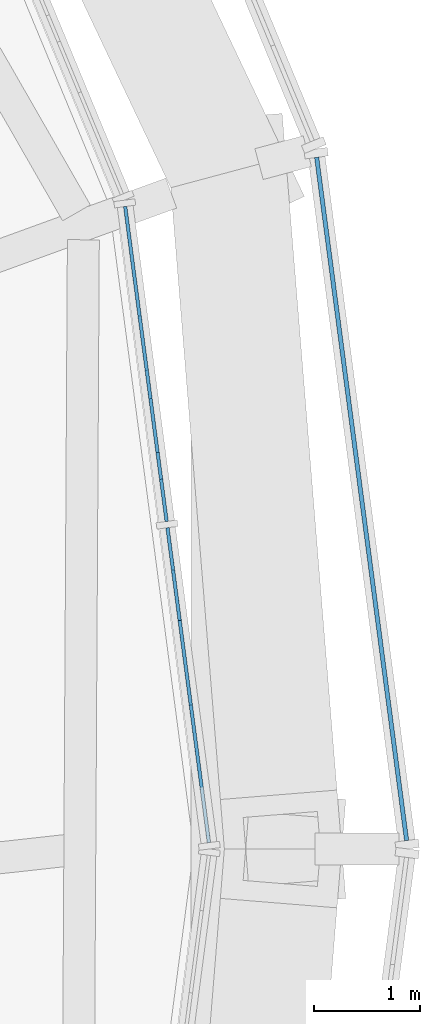
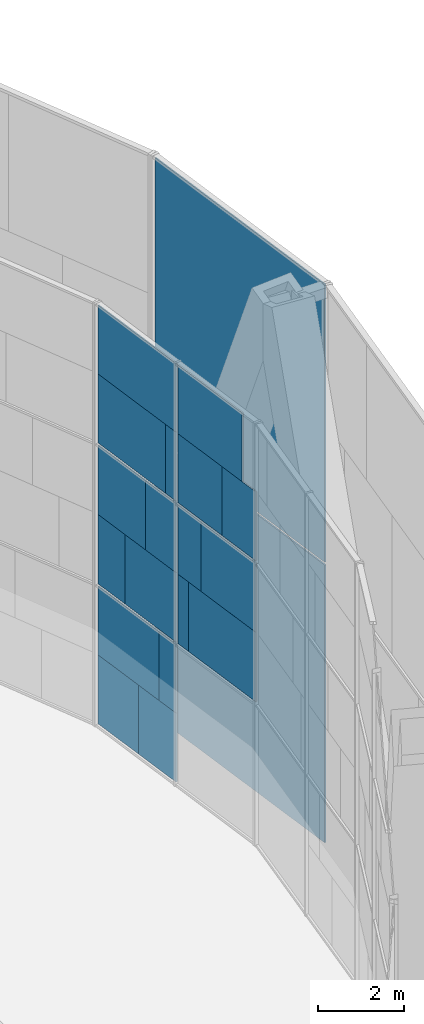
# One storey, part 18 of 26: 20 plates, 2 elements without a shape of their own.
"""IFC4 building model written with IfcOpenShell, lengths in metres."""

import ifcopenshell
import ifcopenshell.guid

model = None  # the IFC model being written
_history = None  # IfcOwnerHistory: only IFC2X3 demands one
_inside = {}  # id of a spatial element -> (the spatial element, [elements in it])
_under = {}  # id of a project, library or spatial element -> (it, [spatial elements below it])
_declared = {}  # id of a project -> (the project, [libraries it declares])
_typed = {}  # id of a type object -> (the type object, [elements of that type])
_made_of = {}  # id of a material, layer set ... -> (it, [elements and type objects made of it])


def new_model(schema):
    """Start an empty IFC model of exactly this schema.

    Asked for "IFC4X3", IfcOpenShell would pick the latest addendum, in which some entities
    have other attributes; the version numbers below select the first issue.
    IFC2X3 requires an IfcOwnerHistory on every rooted entity: one is made here for all.
    """
    global model, _history
    if schema == "IFC4X3":
        model = ifcopenshell.file(schema_version=(4, 3, 0, 0))
    else:
        model = ifcopenshell.file(schema=schema)
    _inside.clear()
    _under.clear()
    _declared.clear()
    _typed.clear()
    _made_of.clear()
    _history = None
    if model.schema == "IFC2X3":
        org = make("IfcOrganization", Name="unknown")
        user = make(
            "IfcPersonAndOrganization",
            ThePerson=make("IfcPerson", FamilyName="unknown"),
            TheOrganization=org,
        )
        app = make(
            "IfcApplication",
            ApplicationDeveloper=org,
            Version="unknown",
            ApplicationFullName="unknown",
            ApplicationIdentifier="unknown",
        )
        _history = make(
            "IfcOwnerHistory",
            OwningUser=user,
            OwningApplication=app,
            ChangeAction="ADDED",
            CreationDate=0,
        )
    return model


def make(cls, **values):
    """One entity of the class cls with the attributes given. An attribute that is None is left unset."""
    return model.create_entity(
        cls, **{name: value for name, value in values.items() if value is not None}
    )


def rooted(cls, **values):
    """An entity with a GlobalId (a new one), such as an element, a storey or a relation."""
    return make(cls, GlobalId=ifcopenshell.guid.new(), OwnerHistory=_history, **values)


def si_unit(unit_type, name, prefix=None):
    """IfcSIUnit, for example si_unit("LENGTHUNIT", "METRE", prefix="MILLI")."""
    return make("IfcSIUnit", UnitType=unit_type, Prefix=prefix, Name=name)


def assignment(units):
    """IfcUnitAssignment: the units of a project."""
    return None if units is None else make("IfcUnitAssignment", Units=units)


def point(xyz):
    """IfcCartesianPoint."""
    return None if xyz is None else make("IfcCartesianPoint", Coordinates=xyz)


def direction(xyz):
    """IfcDirection."""
    return None if xyz is None else make("IfcDirection", DirectionRatios=xyz)


def frame(location, z_axis=None, x_axis=None):
    """IfcAxis2Placement3D, a coordinate frame: its origin and axes. An axis left out is left unset."""
    return make(
        "IfcAxis2Placement3D",
        Location=point(location),
        Axis=direction(z_axis),
        RefDirection=direction(x_axis),
    )


def frame_2d(location, x_axis=None):
    """IfcAxis2Placement2D, a coordinate frame in the plane: its origin and x axis."""
    return make(
        "IfcAxis2Placement2D", Location=point(location), RefDirection=direction(x_axis)
    )


def origin():
    """The frame at (0, 0, 0) with its axes left unset."""
    return frame((0.0, 0.0, 0.0))


def origin_2d():
    """The frame at (0, 0) in the plane with its x axis left unset."""
    return frame_2d((0.0, 0.0))


def place(relative_to, where):
    """IfcLocalPlacement: puts the frame where relative to a parent placement (None: the world)."""
    return make(
        "IfcLocalPlacement", PlacementRelTo=relative_to, RelativePlacement=where
    )


def context(
    kind, dimensions, precision=None, world=None, true_north=None, identifier=None
):
    """IfcGeometricRepresentationContext, for example the 3D "Model" context."""
    return make(
        "IfcGeometricRepresentationContext",
        ContextIdentifier=identifier,
        ContextType=kind,
        CoordinateSpaceDimension=dimensions,
        Precision=precision,
        WorldCoordinateSystem=world,
        TrueNorth=true_north,
    )


def subcontext(parent, identifier, kind, view, scale=None):
    """IfcGeometricRepresentationSubContext, for example "Body" below "Model"."""
    return make(
        "IfcGeometricRepresentationSubContext",
        ContextIdentifier=identifier,
        ContextType=kind,
        ParentContext=parent,
        TargetScale=scale,
        TargetView=view,
    )


def project(units=None, contexts=None):
    """IfcProject with its units and contexts."""
    return rooted(
        "IfcProject",
        Name="project",
        RepresentationContexts=contexts,
        UnitsInContext=assignment(units),
    )


def spatial(cls, under=None, at=None, **own):
    """A site, building, storey or space (cls), placed at a placement, below another one or the project."""
    s = rooted(cls, ObjectPlacement=at, **own)
    if under is not None:
        _under.setdefault(under.id(), (under, []))[1].append(s)
    return s


def profile(cls, at=None, kind="AREA", **sizes):
    """A parametric profile (cls). Its sizes go by their IFC names, for example OverallWidth=200.0."""
    return make(cls, ProfileType=kind, Position=at, **sizes)


def rectangle(**sizes):
    """IfcRectangleProfileDef."""
    return profile("IfcRectangleProfileDef", **sizes)


def extrude(swept, where, along, depth):
    """IfcExtrudedAreaSolid: the profile swept, set in the frame where, extruded along a direction by depth."""
    return make(
        "IfcExtrudedAreaSolid",
        SweptArea=swept,
        Position=where,
        ExtrudedDirection=direction(along),
        Depth=depth,
    )


def shape(context_of_items, identifier, shape_type, items):
    """IfcShapeRepresentation: the items that make up one representation, for example the "Body"."""
    return make(
        "IfcShapeRepresentation",
        ContextOfItems=context_of_items,
        RepresentationIdentifier=identifier,
        RepresentationType=shape_type,
        Items=items,
    )


def material(Name=None, Category=None):
    """IfcMaterial."""
    return make("IfcMaterial", Name=Name, Category=Category)


def layer(
    of_material, thickness, ventilated=None, Name=None, Category=None, Priority=None
):
    """IfcMaterialLayer: one layer of a wall or slab, of a material (None: an air gap)."""
    return make(
        "IfcMaterialLayer",
        Material=of_material,
        LayerThickness=thickness,
        IsVentilated=ventilated,
        Name=Name,
        Category=Category,
        Priority=Priority,
    )


def layer_set(layers, Name=None):
    """IfcMaterialLayerSet."""
    return make("IfcMaterialLayerSet", MaterialLayers=layers, LayerSetName=Name)


def made_of(thing, what):
    """Note that an element or type object is made of a material, layer set ...; save() writes the relation."""
    if what is not None:
        _made_of.setdefault(what.id(), (what, []))[1].append(thing)
    return thing


def type_object(cls, material=None, **own):
    """A type object (cls), such as IfcWallType, which elements share."""
    return made_of(rooted(cls, **own), material)


def element(
    cls,
    number,
    at=None,
    inside=None,
    cuts=None,
    type_object=None,
    material=None,
    context=None,
    identifier="Body",
    shape_type=None,
    held_by="IfcProductDefinitionShape",
    body=None,
    shapes=None,
    **own,
):
    """One element of the class cls, such as IfcWall. Its Tag is "e" and its number.

    at: its placement. inside: the storey or other place that contains it. cuts: it is an
    opening in that element (IfcRelVoidsElement). A single representation is given by context,
    identifier, shape_type and body (its items); several are given by shapes. held_by: the class
    of the entity that holds the representations. save() writes the other relations.
    """
    e = rooted(cls, Tag="e%d" % number, ObjectPlacement=at, **own)
    if body is not None:
        shapes = [shape(context, identifier, shape_type, body)]
    if shapes is not None:
        e.Representation = make(held_by, Representations=shapes)
    if inside is not None:
        _inside.setdefault(inside.id(), (inside, []))[1].append(e)
    if cuts is not None:
        rooted(
            "IfcRelVoidsElement", RelatingBuildingElement=cuts, RelatedOpeningElement=e
        )
    if type_object is not None:
        _typed.setdefault(type_object.id(), (type_object, []))[1].append(e)
    return made_of(e, material)


def aggregate(whole, parts):
    """IfcRelAggregates: a whole, such as a stair, and the parts it consists of."""
    return rooted("IfcRelAggregates", RelatingObject=whole, RelatedObjects=parts)


def save(model, path):
    """Write the relations noted so far, then the file.

    IfcRelAggregates (storeys below a building ...), IfcRelContainedInSpatialStructure (elements
    in a storey), IfcRelDefinesByType, IfcRelAssociatesMaterial and IfcRelDeclares: one each for
    every whole, place, type object, material and project.
    """
    for whole, parts in _under.values():
        aggregate(whole, parts)
    for where, things in _inside.values():
        rooted(
            "IfcRelContainedInSpatialStructure",
            RelatedElements=things,
            RelatingStructure=where,
        )
    for kind, things in _typed.values():
        rooted("IfcRelDefinesByType", RelatedObjects=things, RelatingType=kind)
    for what, things in _made_of.values():
        rooted("IfcRelAssociatesMaterial", RelatedObjects=things, RelatingMaterial=what)
    for by, libraries in _declared.values():
        rooted("IfcRelDeclares", RelatingContext=by, RelatedDefinitions=libraries)
    model.write(path)


model = new_model("IFC4")

# Units and contexts
model_context = context("Model", 3, precision=1e-05, world=origin(), true_north=direction((0.0, 1.0)))
body_context = subcontext(model_context, "Body", "Model", "MODEL_VIEW")
ifc_project = project(units=[si_unit("LENGTHUNIT", "METRE"), si_unit("AREAUNIT", "SQUARE_METRE"), si_unit("VOLUMEUNIT", "CUBIC_METRE"), si_unit("PLANEANGLEUNIT", "RADIAN"), si_unit("MASSUNIT", "GRAM", prefix="KILO")], contexts=[model_context])

# Site, building, storey
site_placement = place(None, origin())
site = spatial("IfcSite", under=ifc_project, at=site_placement, CompositionType="ELEMENT")
building_placement = place(site_placement, origin())
building = spatial("IfcBuilding", under=site, at=building_placement, Name="Golbaran Civic Tower", CompositionType="ELEMENT")
storey_placement = place(building_placement, frame((0.0, 0.0, 199.0)))
storey = spatial("IfcBuildingStorey", under=building, at=storey_placement, Name="L48", CompositionType="ELEMENT", Elevation=199.0)

# Curtain wall, plates
ifc_material_1 = material(Name="Aluminium and glass", Category="aluminium")
curtain_wall_type_1 = type_object("IfcCurtainWallType", Name="INNER SKIN CURTAIN WALL EXECUTIVE", PredefinedType="NOTDEFINED", material=ifc_material_1)
curtain_wall_1_placement = place(storey_placement, origin())
curtain_wall_1 = element("IfcCurtainWall", 1, at=curtain_wall_1_placement, inside=storey, type_object=curtain_wall_type_1, Name="Inner skin L48 facet 1 CW2", ObjectType="INNER SKIN", PredefinedType="USERDEFINED")
ifc_material_2 = material(Name="Clear insulating glass", Category="glass")
ifc_layer_1 = layer(ifc_material_2, 0.031982421875, Name="Clear insulating glass")
ifc_layer_set_1 = layer_set([ifc_layer_1], Name="Clear insulating glass")
plate_type_1 = type_object("IfcPlateType", Name="INNER SKIN CURTAIN WALL EXECUTIVE GLAZED PANEL", PredefinedType="CURTAIN_PANEL", material=ifc_layer_set_1)
plate_1_placement = place(storey_placement, frame((23.390380859375, 1.3408203125, 4.02978515625), z_axis=(0.0, 0.0, 1.0), x_axis=(-0.130526192237, 0.991444861372, 0.0)))
plate_1 = element("IfcPlate", 2, at=plate_1_placement, type_object=plate_type_1, Name="CW2 panel 1.2 part 1", PredefinedType="CURTAIN_PANEL", context=body_context, shape_type="SweptSolid", body=[
    extrude(rectangle(XDim=2.5849609375, YDim=0.031982421875, at=origin_2d()), origin(), (0.0, 0.0, 1.0), 1.969970703125),
])
plate_2_placement = place(storey_placement, frame((23.421630859375, 1.10400390625, 6.0), z_axis=(0.0, 0.0, 1.0), x_axis=(-0.130526192237, 0.991444861372, 0.0)))
plate_2 = element("IfcPlate", 3, at=plate_2_placement, type_object=plate_type_1, Name="CW2 panel 1.2 part 3", PredefinedType="CURTAIN_PANEL", context=body_context, shape_type="SweptSolid", body=[
    extrude(rectangle(XDim=2.10693359375, YDim=0.031982421875, at=origin_2d()), origin(), (0.0, 0.0, 1.0), 1.969970703125),
])
plate_3_placement = place(storey_placement, frame((23.47412109375, 0.705810546875, 8.030029296875), z_axis=(0.0, 0.0, 1.0), x_axis=(-0.130526192237, 0.991444861372, 0.0)))
plate_3 = element("IfcPlate", 4, at=plate_3_placement, type_object=plate_type_1, Name="CW2 panel 1.3 part 1", PredefinedType="CURTAIN_PANEL", context=body_context, shape_type="SweptSolid", body=[
    extrude(rectangle(XDim=1.303955078125, YDim=0.031982421875, at=origin_2d()), origin(), (0.0, 0.0, 1.0), 1.955078125),
])
plate_4_placement = place(storey_placement, frame((23.068115234375, 3.789794921875, 0.06005859375), z_axis=(0.0, 0.0, 1.0), x_axis=(-0.130526192237, 0.991444861372, 0.0)))
plate_4 = element("IfcPlate", 5, at=plate_4_placement, type_object=plate_type_1, Name="CW2 panel 2.1 part 1", PredefinedType="CURTAIN_PANEL", context=body_context, shape_type="SweptSolid", body=[
    extrude(rectangle(XDim=1.43310546875, YDim=0.031982421875, at=origin_2d()), origin(), (0.0, 0.0, 1.0), 1.955078125),
])
plate_5_placement = place(storey_placement, frame((23.118896484375, 3.40380859375, 2.014892578125), z_axis=(0.0, 0.0, 1.0), x_axis=(-0.130526192237, 0.991444861372, 0.0)))
plate_5 = element("IfcPlate", 6, at=plate_5_placement, type_object=plate_type_1, Name="CW2 panel 2.1 part 3", PredefinedType="CURTAIN_PANEL", context=body_context, shape_type="SweptSolid", body=[
    extrude(rectangle(XDim=0.654052734375, YDim=0.031982421875, at=origin_2d()), origin(), (0.0, 0.0, 1.0), 1.955078125),
])
plate_6_placement = place(storey_placement, frame((22.839599609375, 5.52587890625, 4.02978515625), z_axis=(0.0, 0.0, 1.0), x_axis=(-0.130526192237, 0.991444861372, 0.0)))
plate_6 = element("IfcPlate", 7, at=plate_6_placement, type_object=plate_type_1, Name="CW2 panel 2.2 part 2", PredefinedType="CURTAIN_PANEL", context=body_context, shape_type="SweptSolid", body=[
    extrude(rectangle(XDim=1.037109375, YDim=0.031982421875, at=origin_2d()), origin(), (0.0, 0.0, 1.0), 1.969970703125),
])
plate_7_placement = place(storey_placement, frame((22.890625, 5.13671875, 6.0), z_axis=(0.0, 0.0, 1.0), x_axis=(-0.130526192237, 0.991444861372, 0.0)))
plate_7 = element("IfcPlate", 8, at=plate_7_placement, type_object=plate_type_1, Name="CW2 panel 2.2 part 4", PredefinedType="CURTAIN_PANEL", context=body_context, shape_type="SweptSolid", body=[
    extrude(rectangle(XDim=1.822021484375, YDim=0.031982421875, at=origin_2d()), origin(), (0.0, 0.0, 1.0), 1.969970703125),
])
plate_8_placement = place(storey_placement, frame((22.940673828125, 4.758056640625, 8.030029296875), z_axis=(0.0, 0.0, 1.0), x_axis=(-0.130526192237, 0.991444861372, 0.0)))
plate_8 = element("IfcPlate", 9, at=plate_8_placement, type_object=plate_type_1, Name="CW2 panel 2.3 part 2", PredefinedType="CURTAIN_PANEL", context=body_context, shape_type="SweptSolid", body=[
    extrude(rectangle(XDim=2.586181640625, YDim=0.031982421875, at=origin_2d()), origin(), (0.0, 0.0, 1.0), 1.955078125),
])
plate_9_placement = place(storey_placement, frame((22.966796875, 4.559814453125, 9.98486328125), z_axis=(0.0, 0.0, 1.0), x_axis=(-0.130526192237, 0.991444861372, 0.0)))
plate_9 = element("IfcPlate", 10, at=plate_9_placement, type_object=plate_type_1, Name="CW2 panel 2.3 part 3", PredefinedType="CURTAIN_PANEL", context=body_context, shape_type="SweptSolid", body=[
    extrude(rectangle(XDim=2.986083984375, YDim=0.031982421875, at=origin_2d()), origin(), (0.0, 0.0, 1.0), 1.955078125),
])
ifc_material_3 = material(Name="Aluminium faced opaque infill panel", Category="aluminium")
ifc_layer_2 = layer(ifc_material_3, 0.031982421875, Name="Aluminium faced opaque infill panel")
ifc_layer_set_2 = layer_set([ifc_layer_2], Name="Aluminium faced opaque infill panel")
plate_type_2 = type_object("IfcPlateType", Name="INNER SKIN CURTAIN WALL EXECUTIVE OPAQUE INFILL PANEL", PredefinedType="CURTAIN_PANEL", material=ifc_layer_set_2)
plate_10_placement = place(storey_placement, frame((23.195556640625, 2.8212890625, 4.02978515625), z_axis=(0.0, 0.0, 1.0), x_axis=(-0.130526192237, 0.991444861372, 0.0)))
plate_10 = element("IfcPlate", 11, at=plate_10_placement, type_object=plate_type_2, Name="CW2 infill panel 1.2 part 2", PredefinedType="CURTAIN_PANEL", context=body_context, shape_type="SweptSolid", body=[
    extrude(rectangle(XDim=0.401123046875, YDim=0.031982421875, at=origin_2d()), origin(), (0.0, 0.0, 1.0), 1.969970703125),
])
plate_11_placement = place(storey_placement, frame((23.226806640625, 2.584228515625, 6.0), z_axis=(0.0, 0.0, 1.0), x_axis=(-0.130526192237, 0.991444861372, 0.0)))
plate_11 = element("IfcPlate", 12, at=plate_11_placement, type_object=plate_type_2, Name="CW2 infill panel 1.2 part 4", PredefinedType="CURTAIN_PANEL", context=body_context, shape_type="SweptSolid", body=[
    extrude(rectangle(XDim=0.879150390625, YDim=0.031982421875, at=origin_2d()), origin(), (0.0, 0.0, 1.0), 1.969970703125),
])
plate_12_placement = place(storey_placement, frame((23.279296875, 2.186279296875, 8.030029296875), z_axis=(0.0, 0.0, 1.0), x_axis=(-0.130526192237, 0.991444861372, 0.0)))
plate_12 = element("IfcPlate", 13, at=plate_12_placement, type_object=plate_type_2, Name="CW2 infill panel 1.3 part 2", PredefinedType="CURTAIN_PANEL", context=body_context, shape_type="SweptSolid", body=[
    extrude(rectangle(XDim=1.68212890625, YDim=0.031982421875, at=origin_2d()), origin(), (0.0, 0.0, 1.0), 1.955078125),
])
plate_13_placement = place(storey_placement, frame((23.330078125, 1.800048828125, 9.98486328125), z_axis=(0.0, 0.0, 1.0), x_axis=(-0.130526192237, 0.991444861372, 0.0)))
plate_13 = element("IfcPlate", 14, at=plate_13_placement, type_object=plate_type_2, Name="CW2 infill panel 1.3 part 4", PredefinedType="CURTAIN_PANEL", context=body_context, shape_type="SweptSolid", body=[
    extrude(rectangle(XDim=2.461181640625, YDim=0.031982421875, at=origin_2d()), origin(), (0.0, 0.0, 1.0), 1.955078125),
])
plate_14_placement = place(storey_placement, frame((22.873046875, 5.270263671875, 0.06005859375), z_axis=(0.0, 0.0, 1.0), x_axis=(-0.130526192237, 0.991444861372, 0.0)))
plate_14 = element("IfcPlate", 15, at=plate_14_placement, type_object=plate_type_2, Name="CW2 infill panel 2.1 part 2", PredefinedType="CURTAIN_PANEL", context=body_context, shape_type="SweptSolid", body=[
    extrude(rectangle(XDim=1.55322265625, YDim=0.031982421875, at=origin_2d()), origin(), (0.0, 0.0, 1.0), 1.955078125),
])
plate_15_placement = place(storey_placement, frame((22.924072265625, 4.884033203125, 2.014892578125), z_axis=(0.0, 0.0, 1.0), x_axis=(-0.130526192237, 0.991444861372, 0.0)))
plate_15 = element("IfcPlate", 16, at=plate_15_placement, type_object=plate_type_2, Name="CW2 infill panel 2.1 part 4", PredefinedType="CURTAIN_PANEL", context=body_context, shape_type="SweptSolid", body=[
    extrude(rectangle(XDim=2.33203125, YDim=0.031982421875, at=origin_2d()), origin(), (0.0, 0.0, 1.0), 1.955078125),
])
plate_16_placement = place(storey_placement, frame((23.034423828125, 4.045654296875, 4.02978515625), z_axis=(0.0, 0.0, 1.0), x_axis=(-0.130526192237, 0.991444861372, 0.0)))
plate_16 = element("IfcPlate", 17, at=plate_16_placement, type_object=plate_type_2, Name="CW2 infill panel 2.2 part 1", PredefinedType="CURTAIN_PANEL", context=body_context, shape_type="SweptSolid", body=[
    extrude(rectangle(XDim=1.948974609375, YDim=0.031982421875, at=origin_2d()), origin(), (0.0, 0.0, 1.0), 1.969970703125),
])
plate_17_placement = place(storey_placement, frame((23.085693359375, 3.656494140625, 6.0), z_axis=(0.0, 0.0, 1.0), x_axis=(-0.130526192237, 0.991444861372, 0.0)))
plate_17 = element("IfcPlate", 18, at=plate_17_placement, type_object=plate_type_2, Name="CW2 infill panel 2.2 part 3", PredefinedType="CURTAIN_PANEL", context=body_context, shape_type="SweptSolid", body=[
    extrude(rectangle(XDim=1.1640625, YDim=0.031982421875, at=origin_2d()), origin(), (0.0, 0.0, 1.0), 1.969970703125),
])
plate_18_placement = place(storey_placement, frame((23.135498046875, 3.27783203125, 8.030029296875), z_axis=(0.0, 0.0, 1.0), x_axis=(-0.130526192237, 0.991444861372, 0.0)))
plate_18 = element("IfcPlate", 19, at=plate_18_placement, type_object=plate_type_2, Name="CW2 infill panel 2.3 part 1", PredefinedType="CURTAIN_PANEL", context=body_context, shape_type="SweptSolid", body=[
    extrude(rectangle(XDim=0.39990234375, YDim=0.031982421875, at=origin_2d()), origin(), (0.0, 0.0, 1.0), 1.955078125),
])
aggregate(curtain_wall_1, [plate_1, plate_10, plate_2, plate_11, plate_3, plate_12, plate_13, plate_4, plate_14, plate_5, plate_15, plate_16, plate_6, plate_17, plate_7, plate_18, plate_8, plate_9])

curtain_wall_type_2 = type_object("IfcCurtainWallType", Name="OUTER SKIN TERRACOTTA SCREEN", PredefinedType="NOTDEFINED", material=ifc_material_1)
curtain_wall_2_placement = place(storey_placement, origin())
curtain_wall_2 = element("IfcCurtainWall", 20, at=curtain_wall_2_placement, inside=storey, type_object=curtain_wall_type_2, Name="Outer skin L48 facet 1 CW3", ObjectType="OUTER SKIN", PredefinedType="USERDEFINED")
ifc_material_4 = material(Name="Terracotta baguette screen", Category="masonry")
ifc_layer_3 = layer(ifc_material_4, 0.0400390625, Name="Terracotta baguette screen")
ifc_layer_set_3 = layer_set([ifc_layer_3], Name="Terracotta baguette screen")
plate_type_3 = type_object("IfcPlateType", Name="OUTER SKIN TERRACOTTA SCREEN PANEL", PredefinedType="CURTAIN_PANEL", material=ifc_layer_set_3)
plate_19_placement = place(storey_placement, frame((24.994873046875, 3.29052734375, -0.6298828125), z_axis=(0.0, 0.0, 1.0), x_axis=(-0.130526192203, 0.991444861376, 0.0)))
plate_19 = element("IfcPlate", 21, at=plate_19_placement, type_object=plate_type_3, Name="CW3 terracotta screen panel 1.1", PredefinedType="CURTAIN_PANEL", context=body_context, shape_type="SweptSolid", body=[
    extrude(rectangle(XDim=6.47802734375, YDim=0.0400390625, at=origin_2d()), origin(), (0.0, 0.0, 1.0), 7.8798828125),
])
plate_20_placement = place(storey_placement, frame((24.994873046875, 3.29052734375, 7.330078125), z_axis=(0.0, 0.0, 1.0), x_axis=(-0.130526192203, 0.991444861376, 0.0)))
plate_20 = element("IfcPlate", 22, at=plate_20_placement, type_object=plate_type_3, Name="CW3 terracotta screen panel 1.2", PredefinedType="CURTAIN_PANEL", context=body_context, shape_type="SweptSolid", body=[
    extrude(rectangle(XDim=6.47802734375, YDim=0.0400390625, at=origin_2d()), origin(), (0.0, 0.0, 1.0), 7.8798828125),
])
aggregate(curtain_wall_2, [plate_19, plate_20])

save(model, "model.ifc")
